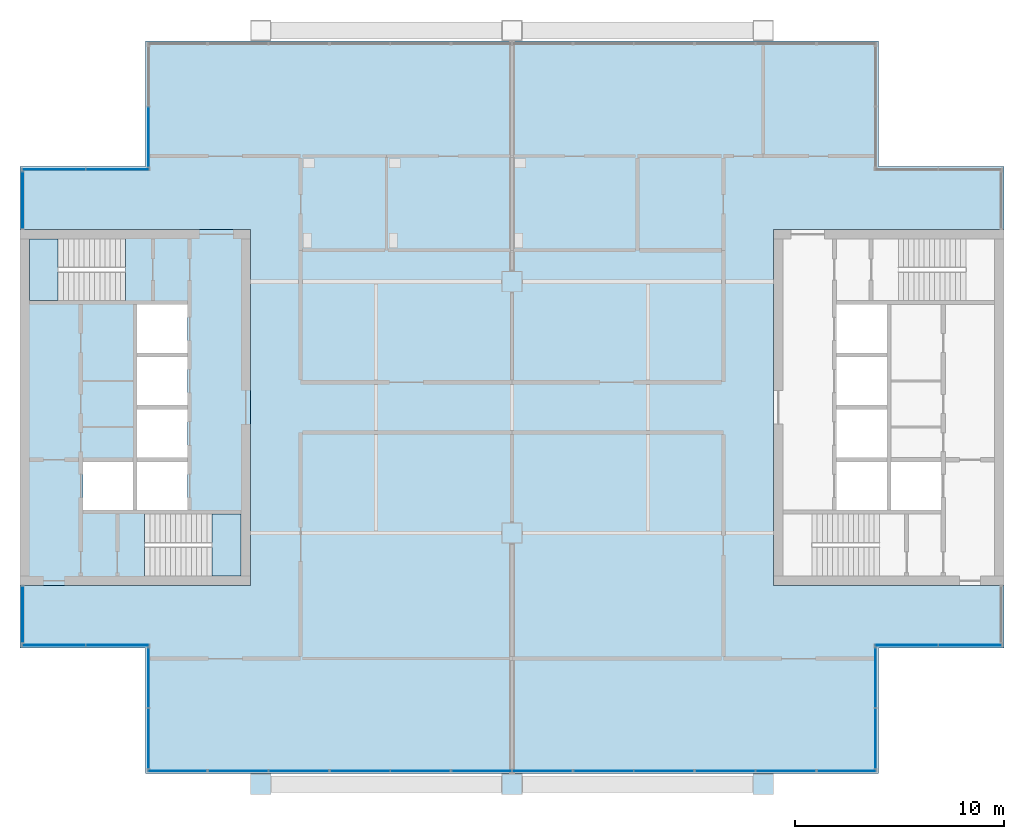
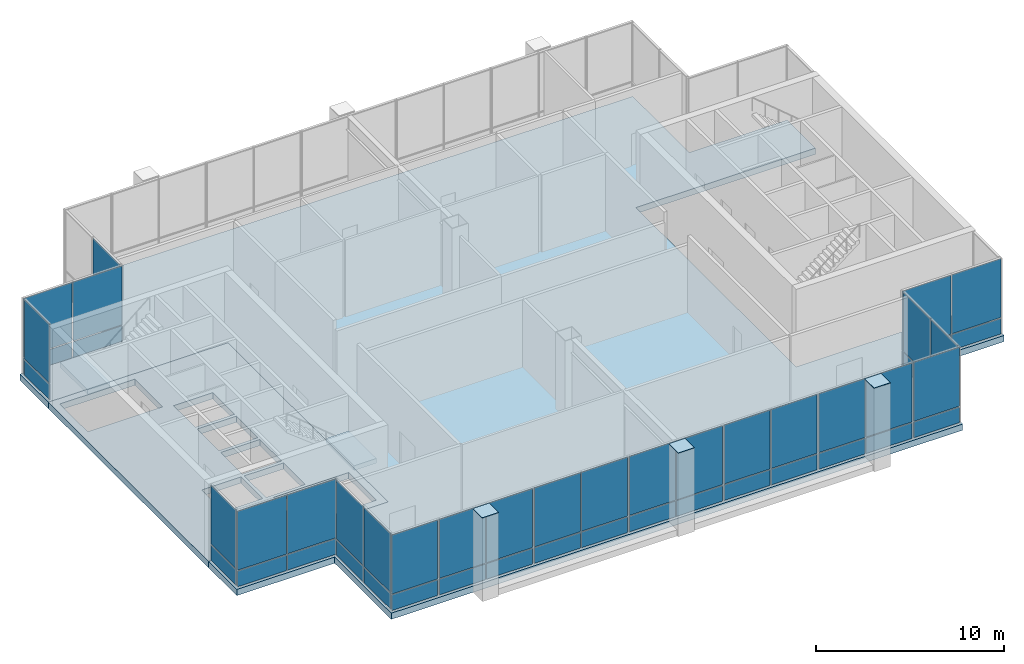
# One storey, part 9 of 15: 53 plates, 4 slabs, 17 elements without a shape of their own.
"""IFC4 building model written with IfcOpenShell, lengths in metres."""

from ifc_helpers import new_model, si_unit, direction, frame, origin, origin_2d, place, context, subcontext, project, spatial, polyline, rectangle, outline, extrude, material, layer, layer_set, type_object, element, aggregate, save


model = new_model("IFC4")

# Units and contexts
model_context = context("Model", 3, precision=1e-05, world=origin(), true_north=direction((0.0, 1.0)))
body_context = subcontext(model_context, "Body", "Model", "MODEL_VIEW")
ifc_project = project(units=[si_unit("LENGTHUNIT", "METRE"), si_unit("AREAUNIT", "SQUARE_METRE"), si_unit("VOLUMEUNIT", "CUBIC_METRE"), si_unit("PLANEANGLEUNIT", "RADIAN"), si_unit("MASSUNIT", "GRAM", prefix="KILO")], contexts=[model_context])

# Site, building, storey
site_placement = place(None, origin())
site = spatial("IfcSite", under=ifc_project, at=site_placement, CompositionType="ELEMENT")
building_placement = place(site_placement, origin())
building = spatial("IfcBuilding", under=site, at=building_placement, Name="Kitamizu Gate Tower and Museum", CompositionType="ELEMENT")
storey_placement = place(building_placement, frame((0.0, 0.0, 277.949951171875)))
storey = spatial("IfcBuildingStorey", under=building, at=storey_placement, Name="L75", CompositionType="ELEMENT", Elevation=277.949951171875)

# Slab
ifc_material_1 = material(Name="Concrete Fc36", Category="concrete")
ifc_layer_1 = layer(ifc_material_1, 0.39990234375)
ifc_layer_set_1 = layer_set([ifc_layer_1], Name="Concrete Fc36")
slab_type_1 = type_object("IfcSlabType", Name="Core floor slab 400", PredefinedType="FLOOR", material=ifc_layer_set_1)
slab_1_placement = place(storey_placement, frame((0.0, 0.0, -0.39990234375)))
element("IfcSlab", 1, at=slab_1_placement, inside=storey, type_object=slab_type_1, Name="Core floor slab W", PredefinedType="FLOOR", context=body_context, shape_type="SweptSolid", body=[
    extrude(outline(polyline([(12.5, 21.5), (23.5, 21.5), (23.5, 38.5), (12.5, 38.5), (12.5, 21.5)]), holes=[polyline([(15.5, 25.10009765625), (17.89990234375, 25.10009765625), (17.89990234375, 27.39990234375), (15.5, 27.39990234375), (15.5, 25.10009765625)]), polyline([(18.10009765625, 25.10009765625), (20.5, 25.10009765625), (20.5, 27.39990234375), (18.10009765625, 27.39990234375), (18.10009765625, 25.10009765625)]), polyline([(18.10009765625, 27.60009765625), (20.5, 27.60009765625), (20.5, 29.89990234375), (18.10009765625, 29.89990234375), (18.10009765625, 27.60009765625)]), polyline([(18.10009765625, 30.10009765625), (20.5, 30.10009765625), (20.5, 32.39990234375), (18.10009765625, 32.39990234375), (18.10009765625, 30.10009765625)]), polyline([(18.10009765625, 32.60009765625), (20.5, 32.60009765625), (20.5, 34.89990234375), (18.10009765625, 34.89990234375), (18.10009765625, 32.60009765625)]), polyline([(18.45068359375, 21.949951171875), (23.050048828125, 21.949951171875), (23.050048828125, 24.89990234375), (18.45068359375, 24.89990234375), (18.45068359375, 21.949951171875)]), polyline([(12.949951171875, 35.10009765625), (17.54931640625, 35.10009765625), (17.54931640625, 38.050048828125), (12.949951171875, 38.050048828125), (12.949951171875, 35.10009765625)])]), origin(), (0.0, 0.0, 1.0), 0.39990234375),
])

# Plates
ifc_material_2 = material(Name="Steel SM490A bronze coated", Category="steel")
ifc_layer_2 = layer(ifc_material_2, 0.035888671875)
ifc_layer_set_2 = layer_set([ifc_layer_2], Name="Steel SM490A bronze coated")
plate_type_1 = type_object("IfcPlateType", Name="Exoskeleton column cap plate XC9 36", PredefinedType="USERDEFINED", material=ifc_layer_set_2)
for number, where, z_axis, x_axis, name in (
    (2, (24.0, 12.0, 5.0), (0.0, 0.0, 1.0), (1.0, 0.0, 0.0), "Exoskeleton column cap plate XC9 3B L75"),
    (3, (36.0, 12.0, 5.0), (0.0, 0.0, 1.0), (1.0, 0.0, 0.0), "Exoskeleton column cap plate XC9 4B L75"),
    (4, (48.0, 12.0, 5.0), (0.0, 0.0, 1.0), (1.0, 0.0, 0.0), "Exoskeleton column cap plate XC9 5B L75"),
):
    element("IfcPlate", number, at=place(storey_placement, frame(where, z_axis=z_axis, x_axis=x_axis)), inside=storey, type_object=plate_type_1, Name=name, ObjectType="COLUMN CAP PLATE", PredefinedType="USERDEFINED", context=body_context, shape_type="SweptSolid", body=[
        extrude(rectangle(XDim=1.0, YDim=1.0, at=origin_2d()), origin(), (0.0, 0.0, 1.0), 0.035888671875),
    ])

# Curtain wall, plates
ifc_material_3 = material(Name="Bronze anodised aluminium frame, tinted triple glazing", Category="aluminium")
curtain_wall_type_1 = type_object("IfcCurtainWallType", Name="CURTAIN WALL TYPE C SKY AMENITY", PredefinedType="NOTDEFINED", material=ifc_material_3)
curtain_wall_1_placement = place(storey_placement, origin())
curtain_wall_1 = element("IfcCurtainWall", 5, at=curtain_wall_1_placement, inside=storey, type_object=curtain_wall_type_1, Name="Curtain wall CW-C south L75 part 1", PredefinedType="NOTDEFINED")
ifc_material_4 = material(Name="Tinted insulating glass", Category="glass")
ifc_layer_3 = layer(ifc_material_4, 0.031982421875)
ifc_layer_set_3 = layer_set([ifc_layer_3], Name="Tinted insulating glass")
plate_type_2 = type_object("IfcPlateType", Name="GLASS PANEL 32 TYPE C", PredefinedType="CURTAIN_PANEL", material=ifc_layer_set_3)
plate_1_placement = place(storey_placement, frame((20.013427734375, 12.635009765625, 0.06005859375), z_axis=(0.0, 0.0, 1.0), x_axis=(1.0, 0.0, 0.0)))
plate_1 = element("IfcPlate", 6, at=plate_1_placement, type_object=plate_type_2, Name="CW-C panel 1.1", PredefinedType="CURTAIN_PANEL", context=body_context, shape_type="SweptSolid", body=[
    extrude(rectangle(XDim=2.78662109375, YDim=0.031982421875, at=origin_2d()), origin(), (0.0, 0.0, 1.0), 1.010009765625),
])
plate_2_placement = place(storey_placement, frame((20.013427734375, 12.635009765625, 1.130126953125), z_axis=(0.0, 0.0, 1.0), x_axis=(1.0, 0.0, 0.0)))
plate_2 = element("IfcPlate", 7, at=plate_2_placement, type_object=plate_type_2, Name="CW-C panel 1.2", PredefinedType="CURTAIN_PANEL", context=body_context, shape_type="SweptSolid", body=[
    extrude(rectangle(XDim=2.78662109375, YDim=0.031982421875, at=origin_2d()), origin(), (0.0, 0.0, 1.0), 3.81005859375),
])
aggregate(curtain_wall_1, [plate_1, plate_2])

curtain_wall_2_placement = place(storey_placement, origin())
curtain_wall_2 = element("IfcCurtainWall", 8, at=curtain_wall_2_placement, inside=storey, type_object=curtain_wall_type_1, Name="Curtain wall CW-C south L75 part 3", PredefinedType="NOTDEFINED")
plate_3_placement = place(storey_placement, frame((28.748291015625, 12.635009765625, 0.06005859375), z_axis=(0.0, 0.0, 1.0), x_axis=(1.0, 0.0, 0.0)))
plate_3 = element("IfcPlate", 9, at=plate_3_placement, type_object=plate_type_2, Name="CW-C panel 1.1", PredefinedType="CURTAIN_PANEL", context=body_context, shape_type="SweptSolid", body=[
    extrude(rectangle(XDim=2.816650390625, YDim=0.031982421875, at=origin_2d()), origin(), (0.0, 0.0, 1.0), 1.010009765625),
])
plate_4_placement = place(storey_placement, frame((28.748291015625, 12.635009765625, 1.130126953125), z_axis=(0.0, 0.0, 1.0), x_axis=(1.0, 0.0, 0.0)))
plate_4 = element("IfcPlate", 10, at=plate_4_placement, type_object=plate_type_2, Name="CW-C panel 1.2", PredefinedType="CURTAIN_PANEL", context=body_context, shape_type="SweptSolid", body=[
    extrude(rectangle(XDim=2.816650390625, YDim=0.031982421875, at=origin_2d()), origin(), (0.0, 0.0, 1.0), 3.81005859375),
])
plate_5_placement = place(storey_placement, frame((31.625, 12.635009765625, 0.06005859375), z_axis=(0.0, 0.0, 1.0), x_axis=(1.0, 0.0, 0.0)))
plate_5 = element("IfcPlate", 11, at=plate_5_placement, type_object=plate_type_2, Name="CW-C panel 2.1", PredefinedType="CURTAIN_PANEL", context=body_context, shape_type="SweptSolid", body=[
    extrude(rectangle(XDim=2.816650390625, YDim=0.031982421875, at=origin_2d()), origin(), (0.0, 0.0, 1.0), 1.010009765625),
])
plate_6_placement = place(storey_placement, frame((31.625, 12.635009765625, 1.130126953125), z_axis=(0.0, 0.0, 1.0), x_axis=(1.0, 0.0, 0.0)))
plate_6 = element("IfcPlate", 12, at=plate_6_placement, type_object=plate_type_2, Name="CW-C panel 2.2", PredefinedType="CURTAIN_PANEL", context=body_context, shape_type="SweptSolid", body=[
    extrude(rectangle(XDim=2.816650390625, YDim=0.031982421875, at=origin_2d()), origin(), (0.0, 0.0, 1.0), 3.81005859375),
])
aggregate(curtain_wall_2, [plate_3, plate_4, plate_5, plate_6])

curtain_wall_3_placement = place(storey_placement, origin())
curtain_wall_3 = element("IfcCurtainWall", 13, at=curtain_wall_3_placement, inside=storey, type_object=curtain_wall_type_1, Name="Curtain wall CW-C south L75 part 5", PredefinedType="NOTDEFINED")
plate_7_placement = place(storey_placement, frame((40.375, 12.635009765625, 0.06005859375), z_axis=(0.0, 0.0, 1.0), x_axis=(1.0, 0.0, 0.0)))
plate_7 = element("IfcPlate", 14, at=plate_7_placement, type_object=plate_type_2, Name="CW-C panel 1.1", PredefinedType="CURTAIN_PANEL", context=body_context, shape_type="SweptSolid", body=[
    extrude(rectangle(XDim=2.816650390625, YDim=0.031982421875, at=origin_2d()), origin(), (0.0, 0.0, 1.0), 1.010009765625),
])
plate_8_placement = place(storey_placement, frame((40.375, 12.635009765625, 1.130126953125), z_axis=(0.0, 0.0, 1.0), x_axis=(1.0, 0.0, 0.0)))
plate_8 = element("IfcPlate", 15, at=plate_8_placement, type_object=plate_type_2, Name="CW-C panel 1.2", PredefinedType="CURTAIN_PANEL", context=body_context, shape_type="SweptSolid", body=[
    extrude(rectangle(XDim=2.816650390625, YDim=0.031982421875, at=origin_2d()), origin(), (0.0, 0.0, 1.0), 3.81005859375),
])
plate_9_placement = place(storey_placement, frame((43.251708984375, 12.635009765625, 0.06005859375), z_axis=(0.0, 0.0, 1.0), x_axis=(1.0, 0.0, 0.0)))
plate_9 = element("IfcPlate", 16, at=plate_9_placement, type_object=plate_type_2, Name="CW-C panel 2.1", PredefinedType="CURTAIN_PANEL", context=body_context, shape_type="SweptSolid", body=[
    extrude(rectangle(XDim=2.816650390625, YDim=0.031982421875, at=origin_2d()), origin(), (0.0, 0.0, 1.0), 1.010009765625),
])
plate_10_placement = place(storey_placement, frame((43.251708984375, 12.635009765625, 1.130126953125), z_axis=(0.0, 0.0, 1.0), x_axis=(1.0, 0.0, 0.0)))
plate_10 = element("IfcPlate", 17, at=plate_10_placement, type_object=plate_type_2, Name="CW-C panel 2.2", PredefinedType="CURTAIN_PANEL", context=body_context, shape_type="SweptSolid", body=[
    extrude(rectangle(XDim=2.816650390625, YDim=0.031982421875, at=origin_2d()), origin(), (0.0, 0.0, 1.0), 3.81005859375),
])
aggregate(curtain_wall_3, [plate_7, plate_8, plate_9, plate_10])

curtain_wall_4_placement = place(storey_placement, origin())
curtain_wall_4 = element("IfcCurtainWall", 18, at=curtain_wall_4_placement, inside=storey, type_object=curtain_wall_type_1, Name="Curtain wall CW-C south L75 part 7", PredefinedType="NOTDEFINED")
plate_11_placement = place(storey_placement, frame((51.986572265625, 12.635009765625, 0.06005859375), z_axis=(0.0, 0.0, 1.0), x_axis=(1.0, 0.0, 0.0)))
plate_11 = element("IfcPlate", 19, at=plate_11_placement, type_object=plate_type_2, Name="CW-C panel 1.1", PredefinedType="CURTAIN_PANEL", context=body_context, shape_type="SweptSolid", body=[
    extrude(rectangle(XDim=2.78662109375, YDim=0.031982421875, at=origin_2d()), origin(), (0.0, 0.0, 1.0), 1.010009765625),
])
plate_12_placement = place(storey_placement, frame((51.986572265625, 12.635009765625, 1.130126953125), z_axis=(0.0, 0.0, 1.0), x_axis=(1.0, 0.0, 0.0)))
plate_12 = element("IfcPlate", 20, at=plate_12_placement, type_object=plate_type_2, Name="CW-C panel 1.2", PredefinedType="CURTAIN_PANEL", context=body_context, shape_type="SweptSolid", body=[
    extrude(rectangle(XDim=2.78662109375, YDim=0.031982421875, at=origin_2d()), origin(), (0.0, 0.0, 1.0), 3.81005859375),
])
aggregate(curtain_wall_4, [plate_11, plate_12])

curtain_wall_5_placement = place(storey_placement, origin())
curtain_wall_5 = element("IfcCurtainWall", 21, at=curtain_wall_5_placement, inside=storey, type_object=curtain_wall_type_1, Name="Curtain wall CW-C east L75", PredefinedType="NOTDEFINED")
plate_13_placement = place(storey_placement, frame((53.364990234375, 14.1875, 0.06005859375), z_axis=(0.0, 0.0, 1.0), x_axis=(0.0, 1.0, 0.0)))
plate_13 = element("IfcPlate", 22, at=plate_13_placement, type_object=plate_type_2, Name="CW-C panel 1.1", PredefinedType="CURTAIN_PANEL", context=body_context, shape_type="SweptSolid", body=[
    extrude(rectangle(XDim=2.8349609375, YDim=0.031982421875, at=origin_2d()), origin(), (0.0, 0.0, 1.0), 1.010009765625),
])
plate_14_placement = place(storey_placement, frame((53.364990234375, 14.1875, 1.130126953125), z_axis=(0.0, 0.0, 1.0), x_axis=(0.0, 1.0, 0.0)))
plate_14 = element("IfcPlate", 23, at=plate_14_placement, type_object=plate_type_2, Name="CW-C panel 1.2", PredefinedType="CURTAIN_PANEL", context=body_context, shape_type="SweptSolid", body=[
    extrude(rectangle(XDim=2.8349609375, YDim=0.031982421875, at=origin_2d()), origin(), (0.0, 0.0, 1.0), 3.81005859375),
])
plate_15_placement = place(storey_placement, frame((53.364990234375, 17.08251953125, 0.06005859375), z_axis=(0.0, 0.0, 1.0), x_axis=(0.0, 1.0, 0.0)))
plate_15 = element("IfcPlate", 24, at=plate_15_placement, type_object=plate_type_2, Name="CW-C panel 2.1", PredefinedType="CURTAIN_PANEL", context=body_context, shape_type="SweptSolid", body=[
    extrude(rectangle(XDim=2.8349609375, YDim=0.031982421875, at=origin_2d()), origin(), (0.0, 0.0, 1.0), 1.010009765625),
])
plate_16_placement = place(storey_placement, frame((53.364990234375, 17.08251953125, 1.130126953125), z_axis=(0.0, 0.0, 1.0), x_axis=(0.0, 1.0, 0.0)))
plate_16 = element("IfcPlate", 25, at=plate_16_placement, type_object=plate_type_2, Name="CW-C panel 2.2", PredefinedType="CURTAIN_PANEL", context=body_context, shape_type="SweptSolid", body=[
    extrude(rectangle(XDim=2.8349609375, YDim=0.031982421875, at=origin_2d()), origin(), (0.0, 0.0, 1.0), 3.81005859375),
])
aggregate(curtain_wall_5, [plate_13, plate_14, plate_15, plate_16])

curtain_wall_6_placement = place(storey_placement, origin())
curtain_wall_6 = element("IfcCurtainWall", 26, at=curtain_wall_6_placement, inside=storey, type_object=curtain_wall_type_1, Name="Curtain wall CW-C south L75", PredefinedType="NOTDEFINED")
plate_17_placement = place(storey_placement, frame((54.842529296875, 18.635009765625, 0.06005859375), z_axis=(0.0, 0.0, 1.0), x_axis=(1.0, 0.0, 0.0)))
plate_17 = element("IfcPlate", 27, at=plate_17_placement, type_object=plate_type_2, Name="CW-C panel 1.1", PredefinedType="CURTAIN_PANEL", context=body_context, shape_type="SweptSolid", body=[
    extrude(rectangle(XDim=2.985107421875, YDim=0.031982421875, at=origin_2d()), origin(), (0.0, 0.0, 1.0), 1.010009765625),
])
plate_18_placement = place(storey_placement, frame((54.842529296875, 18.635009765625, 1.130126953125), z_axis=(0.0, 0.0, 1.0), x_axis=(1.0, 0.0, 0.0)))
plate_18 = element("IfcPlate", 28, at=plate_18_placement, type_object=plate_type_2, Name="CW-C panel 1.2", PredefinedType="CURTAIN_PANEL", context=body_context, shape_type="SweptSolid", body=[
    extrude(rectangle(XDim=2.985107421875, YDim=0.031982421875, at=origin_2d()), origin(), (0.0, 0.0, 1.0), 3.81005859375),
])
plate_19_placement = place(storey_placement, frame((57.887451171875, 18.635009765625, 0.06005859375), z_axis=(0.0, 0.0, 1.0), x_axis=(1.0, 0.0, 0.0)))
plate_19 = element("IfcPlate", 29, at=plate_19_placement, type_object=plate_type_2, Name="CW-C panel 2.1", PredefinedType="CURTAIN_PANEL", context=body_context, shape_type="SweptSolid", body=[
    extrude(rectangle(XDim=2.985107421875, YDim=0.031982421875, at=origin_2d()), origin(), (0.0, 0.0, 1.0), 1.010009765625),
])
plate_20_placement = place(storey_placement, frame((57.887451171875, 18.635009765625, 1.130126953125), z_axis=(0.0, 0.0, 1.0), x_axis=(1.0, 0.0, 0.0)))
plate_20 = element("IfcPlate", 30, at=plate_20_placement, type_object=plate_type_2, Name="CW-C panel 2.2", PredefinedType="CURTAIN_PANEL", context=body_context, shape_type="SweptSolid", body=[
    extrude(rectangle(XDim=2.985107421875, YDim=0.031982421875, at=origin_2d()), origin(), (0.0, 0.0, 1.0), 3.81005859375),
])
aggregate(curtain_wall_6, [plate_17, plate_18, plate_19, plate_20])

curtain_wall_7_placement = place(storey_placement, origin())
curtain_wall_7 = element("IfcCurtainWall", 31, at=curtain_wall_7_placement, inside=storey, type_object=curtain_wall_type_1, Name="Curtain wall CW-C west L75", PredefinedType="NOTDEFINED")
plate_21_placement = place(storey_placement, frame((18.635009765625, 42.91748046875, 0.06005859375), z_axis=(0.0, 0.0, 1.0), x_axis=(0.0, 1.0, 0.0)))
plate_21 = element("IfcPlate", 32, at=plate_21_placement, type_object=plate_type_2, Name="CW-C panel 1.1", PredefinedType="CURTAIN_PANEL", context=body_context, shape_type="SweptSolid", body=[
    extrude(rectangle(XDim=2.8349609375, YDim=0.031982421875, at=origin_2d()), origin(), (0.0, 0.0, 1.0), 1.010009765625),
])
plate_22_placement = place(storey_placement, frame((18.635009765625, 42.91748046875, 1.130126953125), z_axis=(0.0, 0.0, 1.0), x_axis=(0.0, 1.0, 0.0)))
plate_22 = element("IfcPlate", 33, at=plate_22_placement, type_object=plate_type_2, Name="CW-C panel 1.2", PredefinedType="CURTAIN_PANEL", context=body_context, shape_type="SweptSolid", body=[
    extrude(rectangle(XDim=2.8349609375, YDim=0.031982421875, at=origin_2d()), origin(), (0.0, 0.0, 1.0), 3.81005859375),
])
aggregate(curtain_wall_7, [plate_21, plate_22])

curtain_wall_8_placement = place(storey_placement, origin())
curtain_wall_8 = element("IfcCurtainWall", 34, at=curtain_wall_8_placement, inside=storey, type_object=curtain_wall_type_1, Name="Curtain wall CW-C north L75", PredefinedType="NOTDEFINED")
plate_23_placement = place(storey_placement, frame((14.112548828125, 41.364990234375, 0.06005859375), z_axis=(0.0, 0.0, 1.0), x_axis=(1.0, 0.0, 0.0)))
plate_23 = element("IfcPlate", 35, at=plate_23_placement, type_object=plate_type_2, Name="CW-C panel 1.1", PredefinedType="CURTAIN_PANEL", context=body_context, shape_type="SweptSolid", body=[
    extrude(rectangle(XDim=2.985107421875, YDim=0.031982421875, at=origin_2d()), origin(), (0.0, 0.0, 1.0), 1.010009765625),
])
plate_24_placement = place(storey_placement, frame((14.112548828125, 41.364990234375, 1.130126953125), z_axis=(0.0, 0.0, 1.0), x_axis=(1.0, 0.0, 0.0)))
plate_24 = element("IfcPlate", 36, at=plate_24_placement, type_object=plate_type_2, Name="CW-C panel 1.2", PredefinedType="CURTAIN_PANEL", context=body_context, shape_type="SweptSolid", body=[
    extrude(rectangle(XDim=2.985107421875, YDim=0.031982421875, at=origin_2d()), origin(), (0.0, 0.0, 1.0), 3.81005859375),
])
plate_25_placement = place(storey_placement, frame((17.157470703125, 41.364990234375, 0.06005859375), z_axis=(0.0, 0.0, 1.0), x_axis=(1.0, 0.0, 0.0)))
plate_25 = element("IfcPlate", 37, at=plate_25_placement, type_object=plate_type_2, Name="CW-C panel 2.1", PredefinedType="CURTAIN_PANEL", context=body_context, shape_type="SweptSolid", body=[
    extrude(rectangle(XDim=2.985107421875, YDim=0.031982421875, at=origin_2d()), origin(), (0.0, 0.0, 1.0), 1.010009765625),
])
plate_26_placement = place(storey_placement, frame((17.157470703125, 41.364990234375, 1.130126953125), z_axis=(0.0, 0.0, 1.0), x_axis=(1.0, 0.0, 0.0)))
plate_26 = element("IfcPlate", 38, at=plate_26_placement, type_object=plate_type_2, Name="CW-C panel 2.2", PredefinedType="CURTAIN_PANEL", context=body_context, shape_type="SweptSolid", body=[
    extrude(rectangle(XDim=2.985107421875, YDim=0.031982421875, at=origin_2d()), origin(), (0.0, 0.0, 1.0), 3.81005859375),
])
aggregate(curtain_wall_8, [plate_23, plate_24, plate_25, plate_26])

curtain_wall_9_placement = place(storey_placement, origin())
curtain_wall_9 = element("IfcCurtainWall", 39, at=curtain_wall_9_placement, inside=storey, type_object=curtain_wall_type_1, Name="Curtain wall CW-C west L75", PredefinedType="NOTDEFINED")
plate_27_placement = place(storey_placement, frame((12.635009765625, 20.10498046875, 0.06005859375), z_axis=(0.0, 0.0, 1.0), x_axis=(0.0, 1.0, 0.0)))
plate_27 = element("IfcPlate", 40, at=plate_27_placement, type_object=plate_type_2, Name="CW-C panel 1.1", PredefinedType="CURTAIN_PANEL", context=body_context, shape_type="SweptSolid", body=[
    extrude(rectangle(XDim=2.669921875, YDim=0.031982421875, at=origin_2d()), origin(), (0.0, 0.0, 1.0), 1.010009765625),
])
plate_28_placement = place(storey_placement, frame((12.635009765625, 20.10498046875, 1.130126953125), z_axis=(0.0, 0.0, 1.0), x_axis=(0.0, 1.0, 0.0)))
plate_28 = element("IfcPlate", 41, at=plate_28_placement, type_object=plate_type_2, Name="CW-C panel 1.2", PredefinedType="CURTAIN_PANEL", context=body_context, shape_type="SweptSolid", body=[
    extrude(rectangle(XDim=2.669921875, YDim=0.031982421875, at=origin_2d()), origin(), (0.0, 0.0, 1.0), 3.81005859375),
])
aggregate(curtain_wall_9, [plate_27, plate_28])

curtain_wall_10_placement = place(storey_placement, origin())
curtain_wall_10 = element("IfcCurtainWall", 42, at=curtain_wall_10_placement, inside=storey, type_object=curtain_wall_type_1, Name="Curtain wall CW-C west L75", PredefinedType="NOTDEFINED")
plate_29_placement = place(storey_placement, frame((12.635009765625, 39.89501953125, 0.06005859375), z_axis=(0.0, 0.0, 1.0), x_axis=(0.0, 1.0, 0.0)))
plate_29 = element("IfcPlate", 43, at=plate_29_placement, type_object=plate_type_2, Name="CW-C panel 1.1", PredefinedType="CURTAIN_PANEL", context=body_context, shape_type="SweptSolid", body=[
    extrude(rectangle(XDim=2.669921875, YDim=0.031982421875, at=origin_2d()), origin(), (0.0, 0.0, 1.0), 1.010009765625),
])
plate_30_placement = place(storey_placement, frame((12.635009765625, 39.89501953125, 1.130126953125), z_axis=(0.0, 0.0, 1.0), x_axis=(0.0, 1.0, 0.0)))
plate_30 = element("IfcPlate", 44, at=plate_30_placement, type_object=plate_type_2, Name="CW-C panel 1.2", PredefinedType="CURTAIN_PANEL", context=body_context, shape_type="SweptSolid", body=[
    extrude(rectangle(XDim=2.669921875, YDim=0.031982421875, at=origin_2d()), origin(), (0.0, 0.0, 1.0), 3.81005859375),
])
aggregate(curtain_wall_10, [plate_29, plate_30])

curtain_wall_11_placement = place(storey_placement, origin())
curtain_wall_11 = element("IfcCurtainWall", 45, at=curtain_wall_11_placement, inside=storey, type_object=curtain_wall_type_1, Name="Curtain wall CW-C south L75", PredefinedType="NOTDEFINED")
plate_31_placement = place(storey_placement, frame((14.112548828125, 18.635009765625, 0.06005859375), z_axis=(0.0, 0.0, 1.0), x_axis=(1.0, 0.0, 0.0)))
plate_31 = element("IfcPlate", 46, at=plate_31_placement, type_object=plate_type_2, Name="CW-C panel 1.1", PredefinedType="CURTAIN_PANEL", context=body_context, shape_type="SweptSolid", body=[
    extrude(rectangle(XDim=2.985107421875, YDim=0.031982421875, at=origin_2d()), origin(), (0.0, 0.0, 1.0), 1.010009765625),
])
plate_32_placement = place(storey_placement, frame((14.112548828125, 18.635009765625, 1.130126953125), z_axis=(0.0, 0.0, 1.0), x_axis=(1.0, 0.0, 0.0)))
plate_32 = element("IfcPlate", 47, at=plate_32_placement, type_object=plate_type_2, Name="CW-C panel 1.2", PredefinedType="CURTAIN_PANEL", context=body_context, shape_type="SweptSolid", body=[
    extrude(rectangle(XDim=2.985107421875, YDim=0.031982421875, at=origin_2d()), origin(), (0.0, 0.0, 1.0), 3.81005859375),
])
plate_33_placement = place(storey_placement, frame((17.157470703125, 18.635009765625, 0.06005859375), z_axis=(0.0, 0.0, 1.0), x_axis=(1.0, 0.0, 0.0)))
plate_33 = element("IfcPlate", 48, at=plate_33_placement, type_object=plate_type_2, Name="CW-C panel 2.1", PredefinedType="CURTAIN_PANEL", context=body_context, shape_type="SweptSolid", body=[
    extrude(rectangle(XDim=2.985107421875, YDim=0.031982421875, at=origin_2d()), origin(), (0.0, 0.0, 1.0), 1.010009765625),
])
plate_34_placement = place(storey_placement, frame((17.157470703125, 18.635009765625, 1.130126953125), z_axis=(0.0, 0.0, 1.0), x_axis=(1.0, 0.0, 0.0)))
plate_34 = element("IfcPlate", 49, at=plate_34_placement, type_object=plate_type_2, Name="CW-C panel 2.2", PredefinedType="CURTAIN_PANEL", context=body_context, shape_type="SweptSolid", body=[
    extrude(rectangle(XDim=2.985107421875, YDim=0.031982421875, at=origin_2d()), origin(), (0.0, 0.0, 1.0), 3.81005859375),
])
aggregate(curtain_wall_11, [plate_31, plate_32, plate_33, plate_34])

curtain_wall_12_placement = place(storey_placement, origin())
curtain_wall_12 = element("IfcCurtainWall", 50, at=curtain_wall_12_placement, inside=storey, type_object=curtain_wall_type_1, Name="Curtain wall CW-C west L75", PredefinedType="NOTDEFINED")
plate_35_placement = place(storey_placement, frame((18.635009765625, 14.1875, 0.06005859375), z_axis=(0.0, 0.0, 1.0), x_axis=(0.0, 1.0, 0.0)))
plate_35 = element("IfcPlate", 51, at=plate_35_placement, type_object=plate_type_2, Name="CW-C panel 1.1", PredefinedType="CURTAIN_PANEL", context=body_context, shape_type="SweptSolid", body=[
    extrude(rectangle(XDim=2.8349609375, YDim=0.031982421875, at=origin_2d()), origin(), (0.0, 0.0, 1.0), 1.010009765625),
])
plate_36_placement = place(storey_placement, frame((18.635009765625, 14.1875, 1.130126953125), z_axis=(0.0, 0.0, 1.0), x_axis=(0.0, 1.0, 0.0)))
plate_36 = element("IfcPlate", 52, at=plate_36_placement, type_object=plate_type_2, Name="CW-C panel 1.2", PredefinedType="CURTAIN_PANEL", context=body_context, shape_type="SweptSolid", body=[
    extrude(rectangle(XDim=2.8349609375, YDim=0.031982421875, at=origin_2d()), origin(), (0.0, 0.0, 1.0), 3.81005859375),
])
plate_37_placement = place(storey_placement, frame((18.635009765625, 17.08251953125, 0.06005859375), z_axis=(0.0, 0.0, 1.0), x_axis=(0.0, 1.0, 0.0)))
plate_37 = element("IfcPlate", 53, at=plate_37_placement, type_object=plate_type_2, Name="CW-C panel 2.1", PredefinedType="CURTAIN_PANEL", context=body_context, shape_type="SweptSolid", body=[
    extrude(rectangle(XDim=2.8349609375, YDim=0.031982421875, at=origin_2d()), origin(), (0.0, 0.0, 1.0), 1.010009765625),
])
plate_38_placement = place(storey_placement, frame((18.635009765625, 17.08251953125, 1.130126953125), z_axis=(0.0, 0.0, 1.0), x_axis=(0.0, 1.0, 0.0)))
plate_38 = element("IfcPlate", 54, at=plate_38_placement, type_object=plate_type_2, Name="CW-C panel 2.2", PredefinedType="CURTAIN_PANEL", context=body_context, shape_type="SweptSolid", body=[
    extrude(rectangle(XDim=2.8349609375, YDim=0.031982421875, at=origin_2d()), origin(), (0.0, 0.0, 1.0), 3.81005859375),
])
aggregate(curtain_wall_12, [plate_35, plate_36, plate_37, plate_38])

ifc_material_5 = material(Name="Bronze anodised aluminium frame, insulated panels", Category="aluminium")
curtain_wall_type_2 = type_object("IfcCurtainWallType", Name="CURTAIN WALL TYPE C SKY AMENITY INSULATED", PredefinedType="NOTDEFINED", material=ifc_material_5)
curtain_wall_13_placement = place(storey_placement, origin())
curtain_wall_13 = element("IfcCurtainWall", 55, at=curtain_wall_13_placement, inside=storey, type_object=curtain_wall_type_2, Name="Curtain wall CW-CI south L75 part 2", PredefinedType="NOTDEFINED")
ifc_material_6 = material(Name="Bronze anodised aluminium insulated panel", Category="aluminium")
ifc_layer_4 = layer(ifc_material_6, 0.031982421875)
ifc_layer_set_4 = layer_set([ifc_layer_4], Name="Bronze anodised aluminium insulated panel")
plate_type_3 = type_object("IfcPlateType", Name="INSULATED PANEL 32 TYPE C", PredefinedType="CURTAIN_PANEL", material=ifc_layer_set_4)
plate_39_placement = place(storey_placement, frame((22.93505859375, 12.635009765625, 0.06005859375), z_axis=(0.0, 0.0, 1.0), x_axis=(1.0, 0.0, 0.0)))
plate_39 = element("IfcPlate", 56, at=plate_39_placement, type_object=plate_type_3, Name="CW-CI panel 1.1", PredefinedType="CURTAIN_PANEL", context=body_context, shape_type="SweptSolid", body=[
    extrude(rectangle(XDim=2.816650390625, YDim=0.031982421875, at=origin_2d()), origin(), (0.0, 0.0, 1.0), 1.010009765625),
])
plate_40_placement = place(storey_placement, frame((22.93505859375, 12.635009765625, 1.130126953125), z_axis=(0.0, 0.0, 1.0), x_axis=(1.0, 0.0, 0.0)))
plate_40 = element("IfcPlate", 57, at=plate_40_placement, type_object=plate_type_3, Name="CW-CI panel 1.2", PredefinedType="CURTAIN_PANEL", context=body_context, shape_type="SweptSolid", body=[
    extrude(rectangle(XDim=2.816650390625, YDim=0.031982421875, at=origin_2d()), origin(), (0.0, 0.0, 1.0), 3.81005859375),
])
plate_41_placement = place(storey_placement, frame((25.811767578125, 12.635009765625, 0.06005859375), z_axis=(0.0, 0.0, 1.0), x_axis=(1.0, 0.0, 0.0)))
plate_41 = element("IfcPlate", 58, at=plate_41_placement, type_object=plate_type_3, Name="CW-CI panel 2.1", PredefinedType="CURTAIN_PANEL", context=body_context, shape_type="SweptSolid", body=[
    extrude(rectangle(XDim=2.816650390625, YDim=0.031982421875, at=origin_2d()), origin(), (0.0, 0.0, 1.0), 1.010009765625),
])
plate_42_placement = place(storey_placement, frame((25.811767578125, 12.635009765625, 1.130126953125), z_axis=(0.0, 0.0, 1.0), x_axis=(1.0, 0.0, 0.0)))
plate_42 = element("IfcPlate", 59, at=plate_42_placement, type_object=plate_type_3, Name="CW-CI panel 2.2", PredefinedType="CURTAIN_PANEL", context=body_context, shape_type="SweptSolid", body=[
    extrude(rectangle(XDim=2.816650390625, YDim=0.031982421875, at=origin_2d()), origin(), (0.0, 0.0, 1.0), 3.81005859375),
])
aggregate(curtain_wall_13, [plate_39, plate_40, plate_41, plate_42])

curtain_wall_14_placement = place(storey_placement, origin())
curtain_wall_14 = element("IfcCurtainWall", 60, at=curtain_wall_14_placement, inside=storey, type_object=curtain_wall_type_2, Name="Curtain wall CW-CI south L75 part 4", PredefinedType="NOTDEFINED")
plate_43_placement = place(storey_placement, frame((34.561767578125, 12.635009765625, 0.06005859375), z_axis=(0.0, 0.0, 1.0), x_axis=(1.0, 0.0, 0.0)))
plate_43 = element("IfcPlate", 61, at=plate_43_placement, type_object=plate_type_3, Name="CW-CI panel 1.1", PredefinedType="CURTAIN_PANEL", context=body_context, shape_type="SweptSolid", body=[
    extrude(rectangle(XDim=2.816650390625, YDim=0.031982421875, at=origin_2d()), origin(), (0.0, 0.0, 1.0), 1.010009765625),
])
plate_44_placement = place(storey_placement, frame((34.561767578125, 12.635009765625, 1.130126953125), z_axis=(0.0, 0.0, 1.0), x_axis=(1.0, 0.0, 0.0)))
plate_44 = element("IfcPlate", 62, at=plate_44_placement, type_object=plate_type_3, Name="CW-CI panel 1.2", PredefinedType="CURTAIN_PANEL", context=body_context, shape_type="SweptSolid", body=[
    extrude(rectangle(XDim=2.816650390625, YDim=0.031982421875, at=origin_2d()), origin(), (0.0, 0.0, 1.0), 3.81005859375),
])
plate_45_placement = place(storey_placement, frame((37.438232421875, 12.635009765625, 0.06005859375), z_axis=(0.0, 0.0, 1.0), x_axis=(1.0, 0.0, 0.0)))
plate_45 = element("IfcPlate", 63, at=plate_45_placement, type_object=plate_type_3, Name="CW-CI panel 2.1", PredefinedType="CURTAIN_PANEL", context=body_context, shape_type="SweptSolid", body=[
    extrude(rectangle(XDim=2.816650390625, YDim=0.031982421875, at=origin_2d()), origin(), (0.0, 0.0, 1.0), 1.010009765625),
])
plate_46_placement = place(storey_placement, frame((37.438232421875, 12.635009765625, 1.130126953125), z_axis=(0.0, 0.0, 1.0), x_axis=(1.0, 0.0, 0.0)))
plate_46 = element("IfcPlate", 64, at=plate_46_placement, type_object=plate_type_3, Name="CW-CI panel 2.2", PredefinedType="CURTAIN_PANEL", context=body_context, shape_type="SweptSolid", body=[
    extrude(rectangle(XDim=2.816650390625, YDim=0.031982421875, at=origin_2d()), origin(), (0.0, 0.0, 1.0), 3.81005859375),
])
aggregate(curtain_wall_14, [plate_43, plate_44, plate_45, plate_46])

curtain_wall_15_placement = place(storey_placement, origin())
curtain_wall_15 = element("IfcCurtainWall", 65, at=curtain_wall_15_placement, inside=storey, type_object=curtain_wall_type_2, Name="Curtain wall CW-CI south L75 part 6", PredefinedType="NOTDEFINED")
plate_47_placement = place(storey_placement, frame((46.188232421875, 12.635009765625, 0.06005859375), z_axis=(0.0, 0.0, 1.0), x_axis=(1.0, 0.0, 0.0)))
plate_47 = element("IfcPlate", 66, at=plate_47_placement, type_object=plate_type_3, Name="CW-CI panel 1.1", PredefinedType="CURTAIN_PANEL", context=body_context, shape_type="SweptSolid", body=[
    extrude(rectangle(XDim=2.816650390625, YDim=0.031982421875, at=origin_2d()), origin(), (0.0, 0.0, 1.0), 1.010009765625),
])
plate_48_placement = place(storey_placement, frame((46.188232421875, 12.635009765625, 1.130126953125), z_axis=(0.0, 0.0, 1.0), x_axis=(1.0, 0.0, 0.0)))
plate_48 = element("IfcPlate", 67, at=plate_48_placement, type_object=plate_type_3, Name="CW-CI panel 1.2", PredefinedType="CURTAIN_PANEL", context=body_context, shape_type="SweptSolid", body=[
    extrude(rectangle(XDim=2.816650390625, YDim=0.031982421875, at=origin_2d()), origin(), (0.0, 0.0, 1.0), 3.81005859375),
])
plate_49_placement = place(storey_placement, frame((49.06494140625, 12.635009765625, 0.06005859375), z_axis=(0.0, 0.0, 1.0), x_axis=(1.0, 0.0, 0.0)))
plate_49 = element("IfcPlate", 68, at=plate_49_placement, type_object=plate_type_3, Name="CW-CI panel 2.1", PredefinedType="CURTAIN_PANEL", context=body_context, shape_type="SweptSolid", body=[
    extrude(rectangle(XDim=2.816650390625, YDim=0.031982421875, at=origin_2d()), origin(), (0.0, 0.0, 1.0), 1.010009765625),
])
plate_50_placement = place(storey_placement, frame((49.06494140625, 12.635009765625, 1.130126953125), z_axis=(0.0, 0.0, 1.0), x_axis=(1.0, 0.0, 0.0)))
plate_50 = element("IfcPlate", 69, at=plate_50_placement, type_object=plate_type_3, Name="CW-CI panel 2.2", PredefinedType="CURTAIN_PANEL", context=body_context, shape_type="SweptSolid", body=[
    extrude(rectangle(XDim=2.816650390625, YDim=0.031982421875, at=origin_2d()), origin(), (0.0, 0.0, 1.0), 3.81005859375),
])
aggregate(curtain_wall_15, [plate_47, plate_48, plate_49, plate_50])

# Slab
ifc_material_7 = material(Name="Concrete Fc36", Category="concrete")
ifc_layer_5 = layer(ifc_material_7, 0.39990234375)
ifc_layer_set_5 = layer_set([ifc_layer_5], Name="Concrete Fc36")
slab_type_2 = type_object("IfcSlabType", Name="Post tensioned flat slab 400", PredefinedType="FLOOR", material=ifc_layer_set_5)
slab_2_placement = place(storey_placement, frame((0.0, 0.0, -0.39990234375)))
element("IfcSlab", 70, at=slab_2_placement, inside=storey, type_object=slab_type_2, Name="Floor slab L75-1", PredefinedType="FLOOR", context=body_context, shape_type="SweptSolid", body=[
    extrude(outline(polyline([(12.5, 18.5), (12.5, 21.5), (23.5, 21.5), (23.5, 38.5), (12.5, 38.5), (12.5, 41.5), (18.5, 41.5), (18.5, 47.5), (53.5, 47.5), (53.5, 41.5), (59.5, 41.5), (59.5, 38.5), (48.5, 38.5), (48.5, 21.5), (59.5, 21.5), (59.5, 18.5), (53.5, 18.5), (53.5, 12.5), (18.5, 12.5), (18.5, 18.5), (12.5, 18.5)])), origin(), (0.0, 0.0, 1.0), 0.39990234375),
])

# Stair, slab
ifc_material_8 = material(Name="Concrete Fc42", Category="concrete")
stair_type = type_object("IfcStairType", Name="Exit stair 1375 wide 193 rise 248 going", PredefinedType="HALF_TURN_STAIR", material=ifc_material_8)
stair_1_placement = place(storey_placement, origin())
stair_1 = element("IfcStair", 71, at=stair_1_placement, inside=storey, type_object=stair_type, Name="Exit stair ST1", PredefinedType="HALF_TURN_STAIR")
ifc_material_9 = material(Name="Concrete Fc42", Category="concrete")
ifc_layer_6 = layer(ifc_material_9, 0.300048828125)
ifc_layer_set_6 = layer_set([ifc_layer_6], Name="Concrete Fc42")
slab_type_3 = type_object("IfcSlabType", Name="Stair landing 300", PredefinedType="LANDING", material=ifc_layer_set_6)
slab_3_placement = place(storey_placement, frame((0.0, 0.0, 2.400146484375)))
slab_3 = element("IfcSlab", 72, at=slab_3_placement, type_object=slab_type_3, Name="ST1 landing 1", PredefinedType="LANDING", context=body_context, shape_type="SweptSolid", body=[
    extrude(outline(polyline([(21.675048828125, 21.949951171875), (23.050048828125, 21.949951171875), (23.050048828125, 24.89990234375), (21.675048828125, 24.89990234375), (21.675048828125, 21.949951171875)])), origin(), (0.0, 0.0, 1.0), 0.2998046875),
])
aggregate(stair_1, [slab_3])

stair_2_placement = place(storey_placement, origin())
stair_2 = element("IfcStair", 73, at=stair_2_placement, inside=storey, type_object=stair_type, Name="Exit stair ST2", PredefinedType="HALF_TURN_STAIR")
slab_4_placement = place(storey_placement, frame((0.0, 0.0, 2.400146484375)))
slab_4 = element("IfcSlab", 74, at=slab_4_placement, type_object=slab_type_3, Name="ST2 landing 1", PredefinedType="LANDING", context=body_context, shape_type="SweptSolid", body=[
    extrude(outline(polyline([(12.949951171875, 35.10009765625), (14.324951171875, 35.10009765625), (14.324951171875, 38.050048828125), (12.949951171875, 38.050048828125), (12.949951171875, 35.10009765625)])), origin(), (0.0, 0.0, 1.0), 0.2998046875),
])
aggregate(stair_2, [slab_4])

save(model, "model.ifc")
